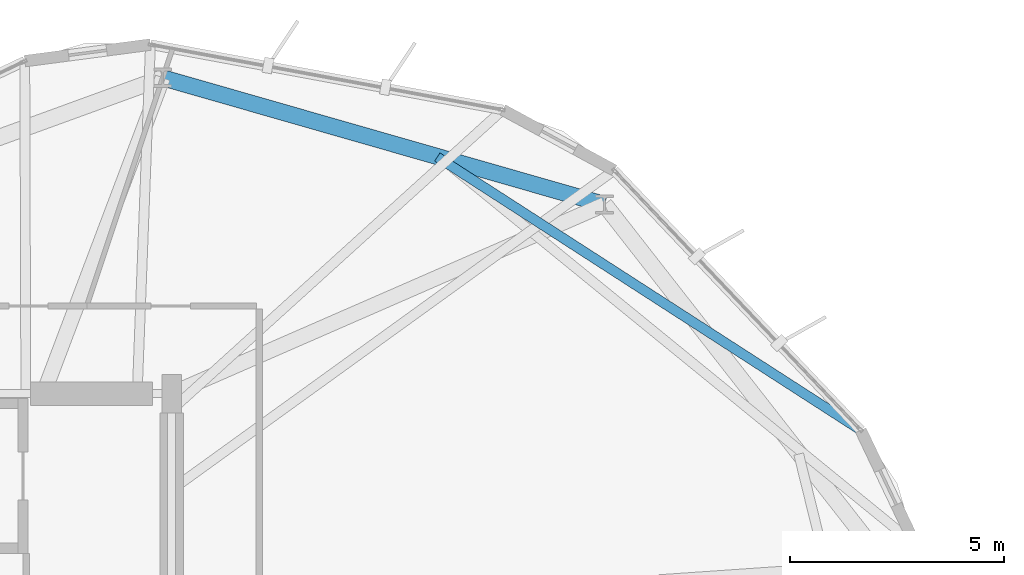
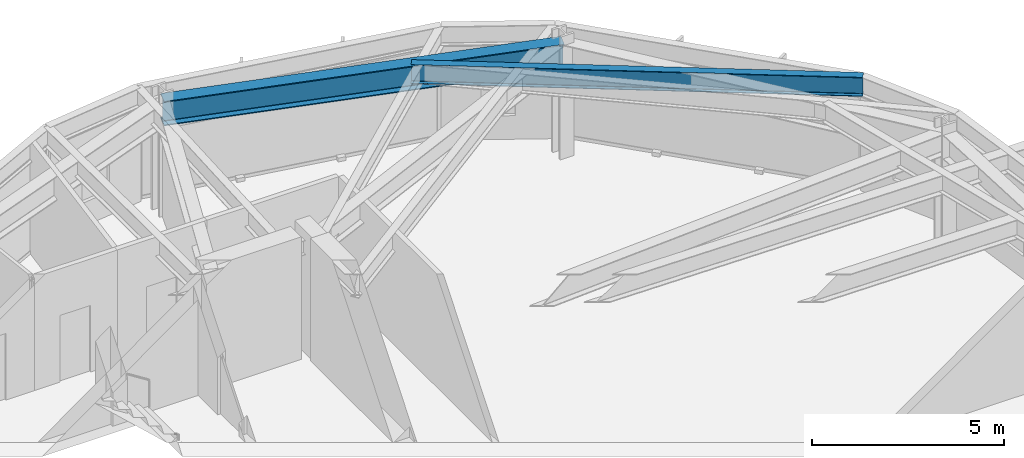
# One storey, part 17 of 25: 2 beams.
"""IFC4 building model written with IfcOpenShell, lengths in metres."""

from ifc_helpers import new_model, si_unit, direction, frame, origin, origin_2d, place, context, subcontext, project, spatial, i_section, extrude, material, material_profile, profile_set, type_object, element, save


model = new_model("IFC4")

# Units and contexts
model_context = context("Model", 3, precision=1e-05, world=origin(), true_north=direction((0.0, 1.0)))
body_context = subcontext(model_context, "Body", "Model", "MODEL_VIEW")
ifc_project = project(units=[si_unit("LENGTHUNIT", "METRE"), si_unit("AREAUNIT", "SQUARE_METRE"), si_unit("VOLUMEUNIT", "CUBIC_METRE"), si_unit("PLANEANGLEUNIT", "RADIAN"), si_unit("MASSUNIT", "GRAM", prefix="KILO")], contexts=[model_context])

# Site, building, storey
site_placement = place(None, origin())
site = spatial("IfcSite", under=ifc_project, at=site_placement, CompositionType="ELEMENT")
building_placement = place(site_placement, origin())
building = spatial("IfcBuilding", under=site, at=building_placement, Name="Soratama Intermodal Tower", CompositionType="ELEMENT")
storey_placement = place(building_placement, frame((0.0, 0.0, 126.39990234375)))
storey = spatial("IfcBuildingStorey", under=building, at=storey_placement, Name="L30", CompositionType="ELEMENT", Elevation=126.39990234375)

# Beams
ifc_material_1 = material(Name="Structural steel ASTM A992 Grade 50", Category="steel")
ifc_material_profile_1 = material_profile(ifc_material_1, i_section(OverallWidth=0.382080078125, OverallDepth=0.779052734375, WebThickness=0.01806640625, FlangeThickness=0.030029296875, FilletRadius=0.01806640625, at=origin_2d()), Name="W30X191")
ifc_profile_set_1 = profile_set([ifc_material_profile_1], Name="Structural steel ASTM A992 Grade 50")
beam_type_1 = type_object("IfcBeamType", Name="BM-RING-W30X191", PredefinedType="BEAM", material=ifc_profile_set_1)
beam_1_placement = place(storey_placement, frame((54.72998046875, 39.425048828125, 3.210693359375), z_axis=(-0.961266505995, 0.275620580604, 0.0), x_axis=(-0.275620580604, -0.961266505995, 0.0)))
element("IfcBeam", 1, at=beam_1_placement, inside=storey, type_object=beam_type_1, Name="BM-L30-RING-02", PredefinedType="BEAM", context=body_context, shape_type="SweptSolid", body=[
    extrude(i_section(OverallWidth=0.382080078125, OverallDepth=0.779052734375, WebThickness=0.01806640625, FlangeThickness=0.030029296875, FilletRadius=0.01806640625, at=origin_2d()), origin(), (0.0, 0.0, 1.0), 10.75341796875),
])
ifc_material_2 = material(Name="Structural steel ASTM A992 Grade 50", Category="steel")
ifc_material_profile_2 = material_profile(ifc_material_2, i_section(OverallWidth=0.22900390625, OverallDepth=0.612060546875, WebThickness=0.011962890625, FlangeThickness=0.01953125, FilletRadius=0.012939453125, at=origin_2d()), Name="W24X84")
ifc_profile_set_2 = profile_set([ifc_material_profile_2], Name="Structural steel ASTM A992 Grade 50")
beam_type_2 = type_object("IfcBeamType", Name="BM-TIE-W24X84", PredefinedType="BEAM", material=ifc_profile_set_2)
beam_2_placement = place(storey_placement, frame((50.81591796875, 40.535888671875, 3.294189453125), z_axis=(0.840341978504, -0.542056601439, 0.0), x_axis=(0.542056601439, 0.840341978504, 0.0)))
element("IfcBeam", 2, at=beam_2_placement, inside=storey, type_object=beam_type_2, Name="BM-L30-TIE0-01", PredefinedType="BEAM", context=body_context, shape_type="SweptSolid", body=[
    extrude(i_section(OverallWidth=0.22900390625, OverallDepth=0.612060546875, WebThickness=0.011962890625, FlangeThickness=0.01953125, FilletRadius=0.012939453125, at=origin_2d()), origin(), (0.0, 0.0, 1.0), 11.791748046875),
])

save(model, "model.ifc")
